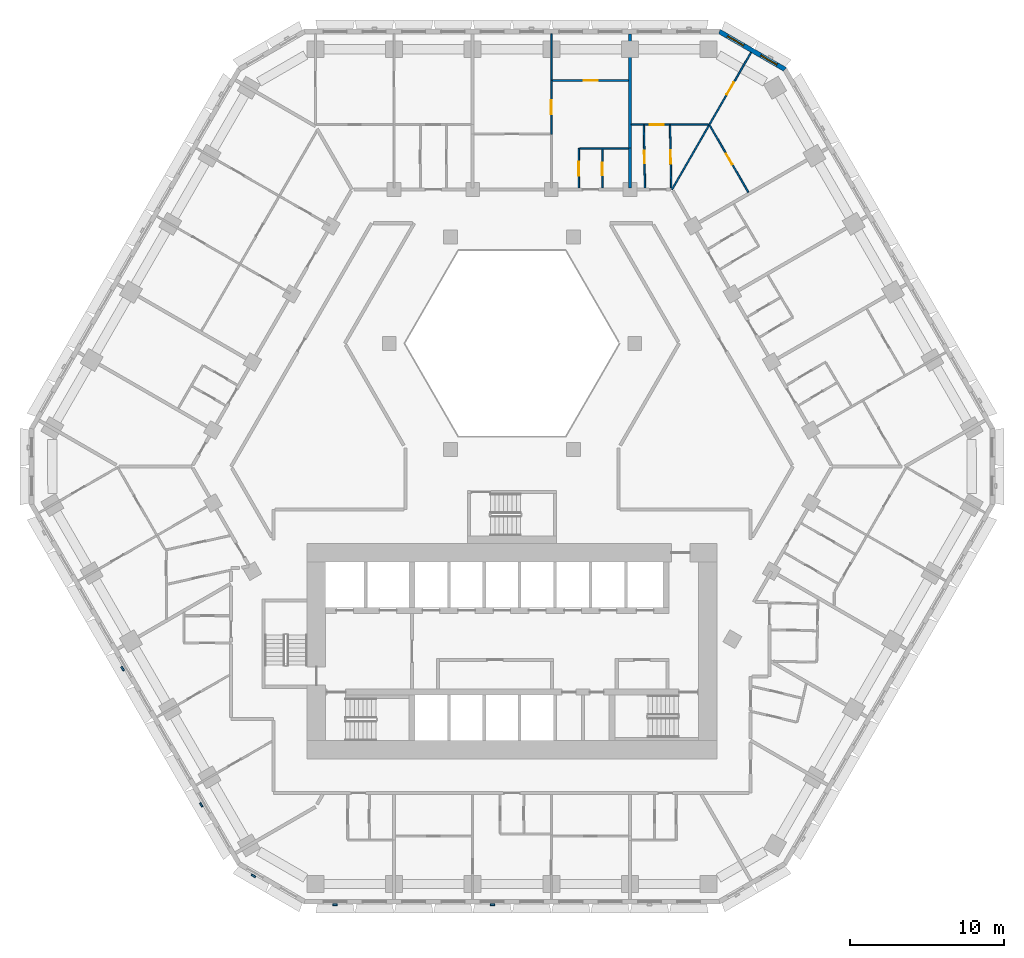
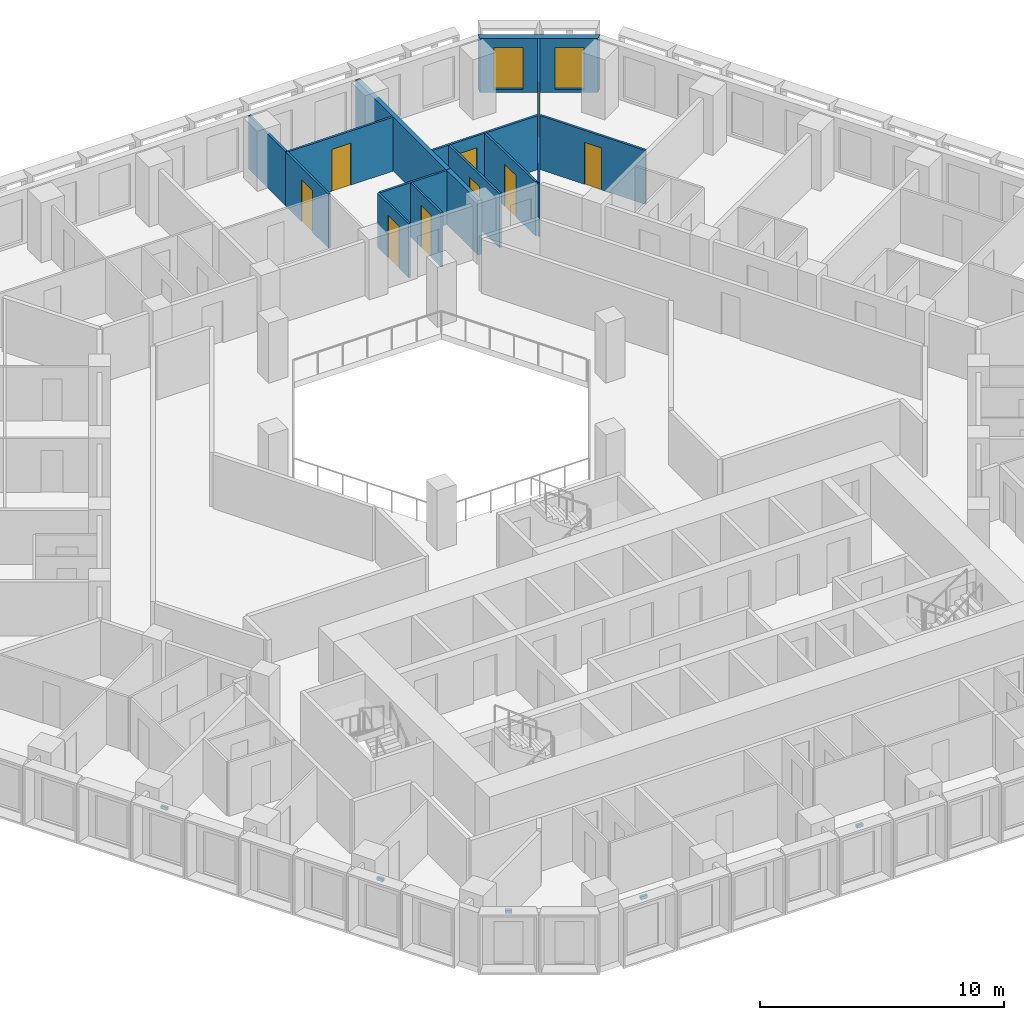
# One storey, part 12 of 21: 14 walls, 9 doors, 5 discrete accessories, 2 windows, 11 openings.
"""IFC4 building model written with IfcOpenShell, lengths in metres."""

from ifc_helpers import new_model, si_unit, direction, frame, frame_2d, origin, place, context, subcontext, project, spatial, polyline, rectangle, outline, extrude, source, transform, mapped, material, layer, layer_set, type_object, type_shapes, element, fill, save


model = new_model("IFC4")

# Units and contexts
model_context = context("Model", 3, precision=1e-05, world=origin(), true_north=direction((0.0, 1.0)))
body_context = subcontext(model_context, "Body", "Model", "MODEL_VIEW")
ifc_project = project(units=[si_unit("LENGTHUNIT", "METRE"), si_unit("AREAUNIT", "SQUARE_METRE"), si_unit("VOLUMEUNIT", "CUBIC_METRE"), si_unit("PLANEANGLEUNIT", "RADIAN"), si_unit("MASSUNIT", "GRAM", prefix="KILO")], contexts=[model_context])

# Site, building, storey
site_placement = place(None, origin())
site = spatial("IfcSite", under=ifc_project, at=site_placement, CompositionType="ELEMENT")
building_placement = place(site_placement, origin())
building = spatial("IfcBuilding", under=site, at=building_placement, Name="Beryl Residences", CompositionType="ELEMENT")
storey_placement = place(building_placement, frame((0.0, 0.0, 53.39990234375)))
storey = spatial("IfcBuildingStorey", under=building, at=storey_placement, Name="L16", CompositionType="ELEMENT", Elevation=53.39990234375)

# Wall, openings, windows
ifc_material_1 = material(Name="Composite metal panel with mineral wool insulation")
ifc_layer_1 = layer(ifc_material_1, 0.300048828125)
ifc_layer_set_1 = layer_set([ifc_layer_1], Name="ES1 pale metal composite panel wall 300 mm")
wall_type_1 = type_object("IfcWallType", Name="ES1 pale metal composite panel wall 300 mm", PredefinedType="SOLIDWALL", material=ifc_layer_set_1)
wall_1_placement = place(storey_placement, frame((17.764892578125, 25.77001953125, 0.0), z_axis=(0.0, 0.0, 1.0), x_axis=(-0.866010750942, 0.50002537861, 0.0)))
wall_1 = element("IfcWall", 1, at=wall_1_placement, inside=storey, type_object=wall_type_1, Name="ES1 external wall L16 NE-N", PredefinedType="SOLIDWALL", context=body_context, shape_type="SweptSolid", body=[
    extrude(outline(polyline([(0.0, -0.14990234375), (4.999755859375, -0.14990234375), (4.91943359375, 0.14990234375), (0.080322265625, 0.14990234375), (0.0, -0.14990234375)])), origin(), (0.0, 0.0, 1.0), 2.7001953125),
])
opening_1_placement = place(wall_1_placement, frame((0.64990234375, 0.0, 0.14990234375)))
opening_1 = element("IfcOpeningElement", 2, at=opening_1_placement, cuts=wall_1, Name="Opening W2", PredefinedType="OPENING", context=body_context, shape_type="SweptSolid", body=[
    extrude(rectangle(XDim=1.199951171875, YDim=2.10009765625, at=frame_2d((0.60009765625, 1.050048828125))), frame((0.0, 0.159912109375, 0.0), z_axis=(0.0, -1.0, 0.0), x_axis=(1.0, 0.0, 0.0)), (0.0, 0.0, 1.0), 0.320068359375),
])
opening_2_placement = place(wall_1_placement, frame((3.14990234375, 0.0, 0.14990234375)))
opening_2 = element("IfcOpeningElement", 3, at=opening_2_placement, cuts=wall_1, Name="Opening W2", PredefinedType="OPENING", context=body_context, shape_type="SweptSolid", body=[
    extrude(rectangle(XDim=1.199951171875, YDim=2.10009765625, at=frame_2d((0.60009765625, 1.050048828125))), frame((0.0, 0.159912109375, 0.0), z_axis=(0.0, -1.0, 0.0), x_axis=(1.0, 0.0, 0.0)), (0.0, 0.0, 1.0), 0.320068359375),
])
ifc_material_2 = material(Name="Aluminium and clear glass", Category="aluminium")
window_type = type_object("IfcWindowType", Name="W2 chamfer window 1200 x 2100 mm", PartitioningType="SINGLE_PANEL", PredefinedType="WINDOW", material=ifc_material_2)
window_1_placement = place(opening_1_placement, origin())
window_1 = element("IfcWindow", 4, at=window_1_placement, inside=storey, type_object=window_type, Name="W2 window L16 NE-N 1", OverallHeight=2.10009765625, OverallWidth=1.199951171875, PartitioningType="SINGLE_PANEL", PredefinedType="WINDOW", context=body_context, shape_type="SweptSolid", body=[
    extrude(rectangle(XDim=1.199951171875, YDim=2.10009765625, at=frame_2d((0.60009765625, 1.050048828125))), frame((0.0, 0.030029296875, 0.0), z_axis=(0.0, -1.0, 0.0), x_axis=(1.0, 0.0, 0.0)), (0.0, 0.0, 1.0), 0.06005859375),
])
fill(opening_1, window_1)
window_2_placement = place(opening_2_placement, origin())
window_2 = element("IfcWindow", 5, at=window_2_placement, inside=storey, type_object=window_type, Name="W2 window L16 NE-N 2", OverallHeight=2.10009765625, OverallWidth=1.199951171875, PartitioningType="SINGLE_PANEL", PredefinedType="WINDOW", context=body_context, shape_type="SweptSolid", body=[
    extrude(rectangle(XDim=1.199951171875, YDim=2.10009765625, at=frame_2d((0.60009765625, 1.050048828125))), frame((0.0, 0.030029296875, 0.0), z_axis=(0.0, -1.0, 0.0), x_axis=(1.0, 0.0, 0.0)), (0.0, 0.0, 1.0), 0.06005859375),
])
fill(opening_2, window_2)

# Wall, opening, door
ifc_material_3 = material(Name="Gypsum board partition on steel studs", Category="steel")
ifc_layer_2 = layer(ifc_material_3, 0.10009765625)
ifc_layer_set_2 = layer_set([ifc_layer_2], Name="PT1 partition 100 mm gypsum board on steel studs")
wall_type_2 = type_object("IfcWallType", Name="PT1 partition 100 mm gypsum board on steel studs", PredefinedType="PARTITIONING", material=ifc_layer_set_2)
wall_2_placement = place(storey_placement, frame((12.845947265625, 22.14990234375, 0.0), z_axis=(0.0, 0.0, 1.0), x_axis=(0.500002715276, -0.866023836113, 0.0)))
wall_2 = element("IfcWall", 6, at=wall_2_placement, inside=storey, type_object=wall_type_2, Name="Wall PT1 L16 006", PredefinedType="PARTITIONING", context=body_context, shape_type="SweptSolid", body=[
    extrude(rectangle(XDim=5.001953125, YDim=0.10009765625, at=frame_2d((2.5009765625, 0.0))), origin(), (0.0, 0.0, 1.0), 2.7001953125),
])
opening_3_placement = place(wall_2_placement, frame((2.1220703125, 0.0, 0.0)))
opening_3 = element("IfcOpeningElement", 7, at=opening_3_placement, cuts=wall_2, Name="Opening D0268", PredefinedType="OPENING", context=body_context, shape_type="SweptSolid", body=[
    extrude(rectangle(XDim=0.800048828125, YDim=2.10009765625, at=frame_2d((0.39990234375, 1.050048828125))), frame((0.0, 0.06005859375, 0.0), z_axis=(0.0, -1.0, 0.0), x_axis=(1.0, 0.0, 0.0)), (0.0, 0.0, 1.0), 0.1201171875),
])
ifc_material_4 = material(Name="Timber door leaf", Category="wood")
door_type_1 = type_object("IfcDoorType", Name="D3 bathroom door 800 x 2100 mm", OperationType="SINGLE_SWING_LEFT", PredefinedType="DOOR", material=ifc_material_4)
door_1_placement = place(opening_3_placement, origin())
door_1 = element("IfcDoor", 8, at=door_1_placement, inside=storey, type_object=door_type_1, Name="Door D0268 L16 001", OperationType="SINGLE_SWING_RIGHT", OverallHeight=2.10009765625, OverallWidth=0.800048828125, PredefinedType="DOOR", context=body_context, shape_type="SweptSolid", body=[
    extrude(rectangle(XDim=0.800048828125, YDim=2.10009765625, at=frame_2d((0.39990234375, 1.050048828125))), frame((0.0, 0.02490234375, 0.0), z_axis=(0.0, -1.0, 0.0), x_axis=(1.0, 0.0, 0.0)), (0.0, 0.0, 1.0), 0.050048828125),
])
fill(opening_3, door_1)

wall_3_placement = place(storey_placement, frame((8.56201171875, 22.14990234375, 0.0), z_axis=(0.0, 0.0, 1.0), x_axis=(0.018504185939, -0.999828782894, 0.0)))
wall_3 = element("IfcWall", 9, at=wall_3_placement, inside=storey, type_object=wall_type_2, Name="Wall PT1 L16 008", PredefinedType="PARTITIONING", context=body_context, shape_type="SweptSolid", body=[
    extrude(rectangle(XDim=4.050537109375, YDim=0.10009765625, at=frame_2d((2.025390625, 0.0))), origin(), (0.0, 0.0, 1.0), 2.7001953125),
])
opening_4_placement = place(wall_3_placement, frame((1.64990234375, 0.0, 0.0)))
opening_4 = element("IfcOpeningElement", 10, at=opening_4_placement, cuts=wall_3, Name="Opening D0264", PredefinedType="OPENING", context=body_context, shape_type="SweptSolid", body=[
    extrude(rectangle(XDim=0.800048828125, YDim=2.10009765625, at=frame_2d((0.39990234375, 1.050048828125))), frame((0.0, 0.06005859375, 0.0), z_axis=(0.0, -1.0, 0.0), x_axis=(1.0, 0.0, 0.0)), (0.0, 0.0, 1.0), 0.1201171875),
])
door_2_placement = place(opening_4_placement, origin())
door_2 = element("IfcDoor", 11, at=door_2_placement, inside=storey, type_object=door_type_1, Name="Door D0264 L16 001", OperationType="SINGLE_SWING_RIGHT", OverallHeight=2.10009765625, OverallWidth=0.800048828125, PredefinedType="DOOR", context=body_context, shape_type="SweptSolid", body=[
    extrude(rectangle(XDim=0.800048828125, YDim=2.10009765625, at=frame_2d((0.39990234375, 1.050048828125))), frame((0.0, 0.02490234375, 0.0), z_axis=(0.0, -1.0, 0.0), x_axis=(1.0, 0.0, 0.0)), (0.0, 0.0, 1.0), 0.050048828125),
])
fill(opening_4, door_2)

wall_4_placement = place(storey_placement, frame((10.261962890625, 22.14990234375, 0.0), z_axis=(0.0, 0.0, 1.0), x_axis=(0.018730524712, -0.999824568334, 0.0)))
wall_4 = element("IfcWall", 12, at=wall_4_placement, inside=storey, type_object=wall_type_2, Name="Wall PT1 L16 009", PredefinedType="PARTITIONING", context=body_context, shape_type="SweptSolid", body=[
    extrude(rectangle(XDim=4.0537109375, YDim=0.10009765625, at=frame_2d((2.02685546875, 0.0))), origin(), (0.0, 0.0, 1.0), 2.7001953125),
])
opening_5_placement = place(wall_4_placement, frame((1.60009765625, 0.0, 0.0)))
opening_5 = element("IfcOpeningElement", 13, at=opening_5_placement, cuts=wall_4, Name="Opening D0265", PredefinedType="OPENING", context=body_context, shape_type="SweptSolid", body=[
    extrude(rectangle(XDim=0.89990234375, YDim=2.10009765625, at=frame_2d((0.449951171875, 1.050048828125))), frame((0.0, 0.06005859375, 0.0), z_axis=(0.0, -1.0, 0.0), x_axis=(1.0, 0.0, 0.0)), (0.0, 0.0, 1.0), 0.1201171875),
])
ifc_material_5 = material(Name="Timber door leaf", Category="wood")
door_type_2 = type_object("IfcDoorType", Name="D2 room door 900 x 2100 mm", OperationType="SINGLE_SWING_LEFT", PredefinedType="DOOR", material=ifc_material_5)
door_3_placement = place(opening_5_placement, origin())
door_3 = element("IfcDoor", 14, at=door_3_placement, inside=storey, type_object=door_type_2, Name="Door D0265 L16 001", OperationType="SINGLE_SWING_LEFT", OverallHeight=2.10009765625, OverallWidth=0.89990234375, PredefinedType="DOOR", context=body_context, shape_type="SweptSolid", body=[
    extrude(rectangle(XDim=0.89990234375, YDim=2.10009765625, at=frame_2d((0.449951171875, 1.050048828125))), frame((0.0, 0.02490234375, 0.0), z_axis=(0.0, -1.0, 0.0), x_axis=(1.0, 0.0, 0.0)), (0.0, 0.0, 1.0), 0.050048828125),
])
fill(opening_5, door_3)

# Walls
wall_5_placement = place(storey_placement, frame((2.551025390625, 28.10009765625, 0.0), z_axis=(0.0, 0.0, 1.0), x_axis=(0.0, -1.0, 0.0)))
element("IfcWall", 15, at=wall_5_placement, inside=storey, type_object=wall_type_2, Name="Wall PT1 L16 013", PredefinedType="PARTITIONING", context=body_context, shape_type="SweptSolid", body=[
    extrude(rectangle(XDim=3.0, YDim=0.10009765625, at=frame_2d((1.5, 0.0))), origin(), (0.0, 0.0, 1.0), 2.7001953125),
])
wall_6_placement = place(storey_placement, frame((4.387939453125, 20.659912109375, 0.0), z_axis=(0.0, 0.0, 1.0), x_axis=(1.0, 0.0, 0.0)))
element("IfcWall", 16, at=wall_6_placement, inside=storey, type_object=wall_type_2, Name="Wall PT1 L16 035", PredefinedType="PARTITIONING", context=body_context, shape_type="SweptSolid", body=[
    extrude(rectangle(XDim=3.1669921875, YDim=0.10009765625, at=frame_2d((1.58349609375, 0.0))), origin(), (0.0, 0.0, 1.0), 2.7001953125),
])

# Wall, opening, door
wall_7_placement = place(storey_placement, frame((7.7548828125, 22.199951171875, 0.0), z_axis=(0.0, 0.0, 1.0), x_axis=(1.0, 0.0, 0.0)))
wall_7 = element("IfcWall", 17, at=wall_7_placement, inside=storey, type_object=wall_type_2, Name="Wall PT1 L16 038", PredefinedType="PARTITIONING", context=body_context, shape_type="SweptSolid", body=[
    extrude(rectangle(XDim=5.005126953125, YDim=0.10009765625, at=frame_2d((2.50244140625, 0.0))), origin(), (0.0, 0.0, 1.0), 2.7001953125),
])
opening_6_placement = place(wall_7_placement, frame((1.2060546875, 0.0, 0.0)))
opening_6 = element("IfcOpeningElement", 18, at=opening_6_placement, cuts=wall_7, Name="Opening D0266", PredefinedType="OPENING", context=body_context, shape_type="SweptSolid", body=[
    extrude(rectangle(XDim=0.89990234375, YDim=2.10009765625, at=frame_2d((0.449951171875, 1.050048828125))), frame((0.0, 0.06005859375, 0.0), z_axis=(0.0, -1.0, 0.0), x_axis=(1.0, 0.0, 0.0)), (0.0, 0.0, 1.0), 0.1201171875),
])
door_4_placement = place(opening_6_placement, origin())
door_4 = element("IfcDoor", 19, at=door_4_placement, inside=storey, type_object=door_type_2, Name="Door D0266 L16 001", OperationType="SINGLE_SWING_RIGHT", OverallHeight=2.10009765625, OverallWidth=0.89990234375, PredefinedType="DOOR", context=body_context, shape_type="SweptSolid", body=[
    extrude(rectangle(XDim=0.89990234375, YDim=2.10009765625, at=frame_2d((0.449951171875, 1.050048828125))), frame((0.0, 0.02490234375, 0.0), z_axis=(0.0, -1.0, 0.0), x_axis=(1.0, 0.0, 0.0)), (0.0, 0.0, 1.0), 0.050048828125),
])
fill(opening_6, door_4)

wall_8_placement = place(storey_placement, frame((2.60107421875, 25.070068359375, 0.0), z_axis=(0.0, 0.0, 1.0), x_axis=(1.0, 0.0, 0.0)))
wall_8 = element("IfcWall", 20, at=wall_8_placement, inside=storey, type_object=wall_type_2, Name="Wall PT1 L16 039", PredefinedType="PARTITIONING", context=body_context, shape_type="SweptSolid", body=[
    extrude(rectangle(XDim=4.953857421875, YDim=0.10009765625, at=frame_2d((2.47705078125, 0.0))), origin(), (0.0, 0.0, 1.0), 2.7001953125),
])
opening_7_placement = place(wall_8_placement, frame((2.052001953125, 0.0, 0.0)))
opening_7 = element("IfcOpeningElement", 21, at=opening_7_placement, cuts=wall_8, Name="Opening D0272", PredefinedType="OPENING", context=body_context, shape_type="SweptSolid", body=[
    extrude(rectangle(XDim=0.89990234375, YDim=2.10009765625, at=frame_2d((0.449951171875, 1.050048828125))), frame((0.0, 0.06005859375, 0.0), z_axis=(0.0, -1.0, 0.0), x_axis=(1.0, 0.0, 0.0)), (0.0, 0.0, 1.0), 0.1201171875),
])
door_5_placement = place(opening_7_placement, origin())
door_5 = element("IfcDoor", 22, at=door_5_placement, inside=storey, type_object=door_type_2, Name="Door D0272 L16 001", OperationType="SINGLE_SWING_RIGHT", OverallHeight=2.10009765625, OverallWidth=0.89990234375, PredefinedType="DOOR", context=body_context, shape_type="SweptSolid", body=[
    extrude(rectangle(XDim=0.89990234375, YDim=2.10009765625, at=frame_2d((0.449951171875, 1.050048828125))), frame((0.0, 0.02490234375, 0.0), z_axis=(0.0, -1.0, 0.0), x_axis=(1.0, 0.0, 0.0)), (0.0, 0.0, 1.0), 0.050048828125),
])
fill(opening_7, door_5)

wall_9_placement = place(storey_placement, frame((10.39306640625, 18.0, 0.0), z_axis=(0.0, 0.0, 1.0), x_axis=(0.499945497007, 0.866056868816, 0.0)))
wall_9 = element("IfcWall", 23, at=wall_9_placement, inside=storey, type_object=wall_type_2, Name="Wall PT1 L16 041", PredefinedType="PARTITIONING", context=body_context, shape_type="SweptSolid", body=[
    extrude(rectangle(XDim=10.264892578125, YDim=0.10009765625, at=frame_2d((5.13232421875, 0.0))), origin(), (0.0, 0.0, 1.0), 2.7001953125),
])
opening_8_placement = place(wall_9_placement, frame((7.10791015625, 0.0, 0.0)))
opening_8 = element("IfcOpeningElement", 24, at=opening_8_placement, cuts=wall_9, Name="Opening D0267", PredefinedType="OPENING", context=body_context, shape_type="SweptSolid", body=[
    extrude(rectangle(XDim=0.89990234375, YDim=2.10009765625, at=frame_2d((0.449951171875, 1.050048828125))), frame((0.0, 0.06005859375, 0.0), z_axis=(0.0, -1.0, 0.0), x_axis=(1.0, 0.0, 0.0)), (0.0, 0.0, 1.0), 0.1201171875),
])
door_6_placement = place(opening_8_placement, origin())
door_6 = element("IfcDoor", 25, at=door_6_placement, inside=storey, type_object=door_type_2, Name="Door D0267 L16 001", OperationType="SINGLE_SWING_LEFT", OverallHeight=2.10009765625, OverallWidth=0.89990234375, PredefinedType="DOOR", context=body_context, shape_type="SweptSolid", body=[
    extrude(rectangle(XDim=0.89990234375, YDim=2.10009765625, at=frame_2d((0.449951171875, 1.050048828125))), frame((0.0, 0.02490234375, 0.0), z_axis=(0.0, -1.0, 0.0), x_axis=(1.0, 0.0, 0.0)), (0.0, 0.0, 1.0), 0.050048828125),
])
fill(opening_8, door_6)

wall_10_placement = place(storey_placement, frame((4.3369140625, 18.10009765625, 0.0), z_axis=(0.0, 0.0, 1.0), x_axis=(0.0, 1.0, 0.0)))
wall_10 = element("IfcWall", 26, at=wall_10_placement, inside=storey, type_object=wall_type_2, Name="Wall PT1 L16 046", PredefinedType="PARTITIONING", context=body_context, shape_type="SweptSolid", body=[
    extrude(rectangle(XDim=2.558837890625, YDim=0.10009765625, at=frame_2d((1.279296875, 0.0))), origin(), (0.0, 0.0, 1.0), 2.7001953125),
])
opening_9_placement = place(wall_10_placement, frame((0.780029296875, 0.0, 0.0)))
opening_9 = element("IfcOpeningElement", 27, at=opening_9_placement, cuts=wall_10, Name="Opening D0270", PredefinedType="OPENING", context=body_context, shape_type="SweptSolid", body=[
    extrude(rectangle(XDim=0.89990234375, YDim=2.10009765625, at=frame_2d((0.449951171875, 1.050048828125))), frame((0.0, 0.06005859375, 0.0), z_axis=(0.0, -1.0, 0.0), x_axis=(1.0, 0.0, 0.0)), (0.0, 0.0, 1.0), 0.1201171875),
])
door_7_placement = place(opening_9_placement, origin())
door_7 = element("IfcDoor", 28, at=door_7_placement, inside=storey, type_object=door_type_2, Name="Door D0270 L16 001", OperationType="SINGLE_SWING_RIGHT", OverallHeight=2.10009765625, OverallWidth=0.89990234375, PredefinedType="DOOR", context=body_context, shape_type="SweptSolid", body=[
    extrude(rectangle(XDim=0.89990234375, YDim=2.10009765625, at=frame_2d((0.449951171875, 1.050048828125))), frame((0.0, 0.02490234375, 0.0), z_axis=(0.0, -1.0, 0.0), x_axis=(1.0, 0.0, 0.0)), (0.0, 0.0, 1.0), 0.050048828125),
])
fill(opening_9, door_7)

wall_11_placement = place(storey_placement, frame((5.868896484375, 18.10009765625, 0.0), z_axis=(0.0, 0.0, 1.0), x_axis=(0.0, 1.0, 0.0)))
wall_11 = element("IfcWall", 29, at=wall_11_placement, inside=storey, type_object=wall_type_2, Name="Wall PT1 L16 047", PredefinedType="PARTITIONING", context=body_context, shape_type="SweptSolid", body=[
    extrude(rectangle(XDim=2.510009765625, YDim=0.10009765625, at=frame_2d((1.2548828125, 0.0))), origin(), (0.0, 0.0, 1.0), 2.7001953125),
])
opening_10_placement = place(wall_11_placement, frame((0.830078125, 0.0, 0.0)))
opening_10 = element("IfcOpeningElement", 30, at=opening_10_placement, cuts=wall_11, Name="Opening D0271", PredefinedType="OPENING", context=body_context, shape_type="SweptSolid", body=[
    extrude(rectangle(XDim=0.800048828125, YDim=2.10009765625, at=frame_2d((0.39990234375, 1.050048828125))), frame((0.0, 0.06005859375, 0.0), z_axis=(0.0, -1.0, 0.0), x_axis=(1.0, 0.0, 0.0)), (0.0, 0.0, 1.0), 0.1201171875),
])
door_8_placement = place(opening_10_placement, origin())
door_8 = element("IfcDoor", 31, at=door_8_placement, inside=storey, type_object=door_type_1, Name="Door D0271 L16 001", OperationType="SINGLE_SWING_LEFT", OverallHeight=2.10009765625, OverallWidth=0.800048828125, PredefinedType="DOOR", context=body_context, shape_type="SweptSolid", body=[
    extrude(rectangle(XDim=0.800048828125, YDim=2.10009765625, at=frame_2d((0.39990234375, 1.050048828125))), frame((0.0, 0.02490234375, 0.0), z_axis=(0.0, -1.0, 0.0), x_axis=(1.0, 0.0, 0.0)), (0.0, 0.0, 1.0), 0.050048828125),
])
fill(opening_10, door_8)

wall_12_placement = place(storey_placement, frame((2.551025390625, 21.580078125, 0.0), z_axis=(0.0, 0.0, 1.0), x_axis=(0.0, 1.0, 0.0)))
wall_12 = element("IfcWall", 32, at=wall_12_placement, inside=storey, type_object=wall_type_2, Name="Wall PT1 L16 054", PredefinedType="PARTITIONING", context=body_context, shape_type="SweptSolid", body=[
    extrude(rectangle(XDim=3.489990234375, YDim=0.10009765625, at=frame_2d((1.7451171875, 0.0))), origin(), (0.0, 0.0, 1.0), 2.7001953125),
])
opening_11_placement = place(wall_12_placement, frame((1.294921875, 0.0, 0.0)))
opening_11 = element("IfcOpeningElement", 33, at=opening_11_placement, cuts=wall_12, Name="Opening D0273", PredefinedType="OPENING", context=body_context, shape_type="SweptSolid", body=[
    extrude(rectangle(XDim=0.89990234375, YDim=2.10009765625, at=frame_2d((0.449951171875, 1.050048828125))), frame((0.0, 0.06005859375, 0.0), z_axis=(0.0, -1.0, 0.0), x_axis=(1.0, 0.0, 0.0)), (0.0, 0.0, 1.0), 0.1201171875),
])
door_9_placement = place(opening_11_placement, origin())
door_9 = element("IfcDoor", 34, at=door_9_placement, inside=storey, type_object=door_type_2, Name="Door D0273 L16 001", OperationType="SINGLE_SWING_LEFT", OverallHeight=2.10009765625, OverallWidth=0.89990234375, PredefinedType="DOOR", context=body_context, shape_type="SweptSolid", body=[
    extrude(rectangle(XDim=0.89990234375, YDim=2.10009765625, at=frame_2d((0.449951171875, 1.050048828125))), frame((0.0, 0.02490234375, 0.0), z_axis=(0.0, -1.0, 0.0), x_axis=(1.0, 0.0, 0.0)), (0.0, 0.0, 1.0), 0.050048828125),
])
fill(opening_11, door_9)

# Walls
ifc_material_6 = material(Name="Acoustic double stud gypsum board wall")
ifc_layer_3 = layer(ifc_material_6, 0.199951171875)
ifc_layer_set_3 = layer_set([ifc_layer_3], Name="PT3 party wall 200 mm acoustic double stud")
wall_type_3 = type_object("IfcWallType", Name="PT3 party wall 200 mm acoustic double stud", PredefinedType="PARTITIONING", material=ifc_layer_set_3)
wall_13_placement = place(storey_placement, frame((7.655029296875, 20.679931640625, 0.0), z_axis=(0.0, 0.0, 1.0), x_axis=(0.0, -1.0, 0.0)))
element("IfcWall", 35, at=wall_13_placement, inside=storey, type_object=wall_type_3, Name="Wall PT3 L16 005", PredefinedType="PARTITIONING", context=body_context, shape_type="SweptSolid", body=[
    extrude(rectangle(XDim=2.579833984375, YDim=0.199951171875, at=frame_2d((1.2900390625, 0.0))), origin(), (0.0, 0.0, 1.0), 2.7001953125),
])
wall_14_placement = place(storey_placement, frame((7.655029296875, 20.639892578125, 0.0), z_axis=(0.0, 0.0, 1.0), x_axis=(0.0, 1.0, 0.0)))
element("IfcWall", 36, at=wall_14_placement, inside=storey, type_object=wall_type_3, Name="Wall PT3 L16 019", PredefinedType="PARTITIONING", context=body_context, shape_type="SweptSolid", body=[
    extrude(rectangle(XDim=7.460205078125, YDim=0.199951171875, at=frame_2d((3.72998046875, 0.0))), origin(), (0.0, 0.0, 1.0), 2.7001953125),
])

# Discrete accessories
ifc_material_7 = material(Name="Steel S355", Category="steel")
discrete_accessory_type = type_object("IfcDiscreteAccessoryType", Name="BR1 frame bracket 300 x 120 x 150 mm", PredefinedType="BRACKET", material=ifc_material_7)
shared_shape = source(origin(), body_context, "Body", "SweptSolid", [
    extrude(outline(polyline([(-0.14990234375, 0.0), (0.14990234375, 0.0), (0.14990234375, 0.1201171875), (-0.14990234375, 0.1201171875), (-0.14990234375, 0.0)])), origin(), (0.0, 0.0, 1.0), 0.14990234375),
])
type_shapes(discrete_accessory_type, [shared_shape])
for number, where, z_axis, x_axis, name in (
    (37, (-25.23193359375, -13.095947265625, 2.75), (0.0, 0.0, 1.0), (-0.5, 0.866025403784, 0.0), "BR1 bracket L16 SW 5"),
    (38, (-20.12890625, -21.93603515625, 2.75), (0.0, 0.0, 1.0), (-0.5, 0.866025403784, 0.0), "BR1 bracket L16 SW 9"),
    (39, (-16.758056640625, -26.52490234375, 2.75), (0.0, 0.0, 1.0), (-0.866025403784, 0.5, 0.0), "BR1 bracket L16 SW-S 1"),
    (40, (-11.48291015625, -28.39990234375, 2.75), (0.0, 0.0, 1.0), (-1.0, 0.0, 0.0), "BR1 bracket L16 S 1"),
    (41, (-1.27490234375, -28.39990234375, 2.75), (0.0, 0.0, 1.0), (-1.0, 0.0, 0.0), "BR1 bracket L16 S 5"),
):
    element("IfcDiscreteAccessory", number, at=place(storey_placement, frame(where, z_axis=z_axis, x_axis=x_axis)), inside=storey, type_object=discrete_accessory_type, Name=name, PredefinedType="BRACKET", context=body_context, shape_type="MappedRepresentation", body=[
        mapped(shared_shape, transform((0.0, 0.0, 0.0))),
    ])

save(model, "model.ifc")
